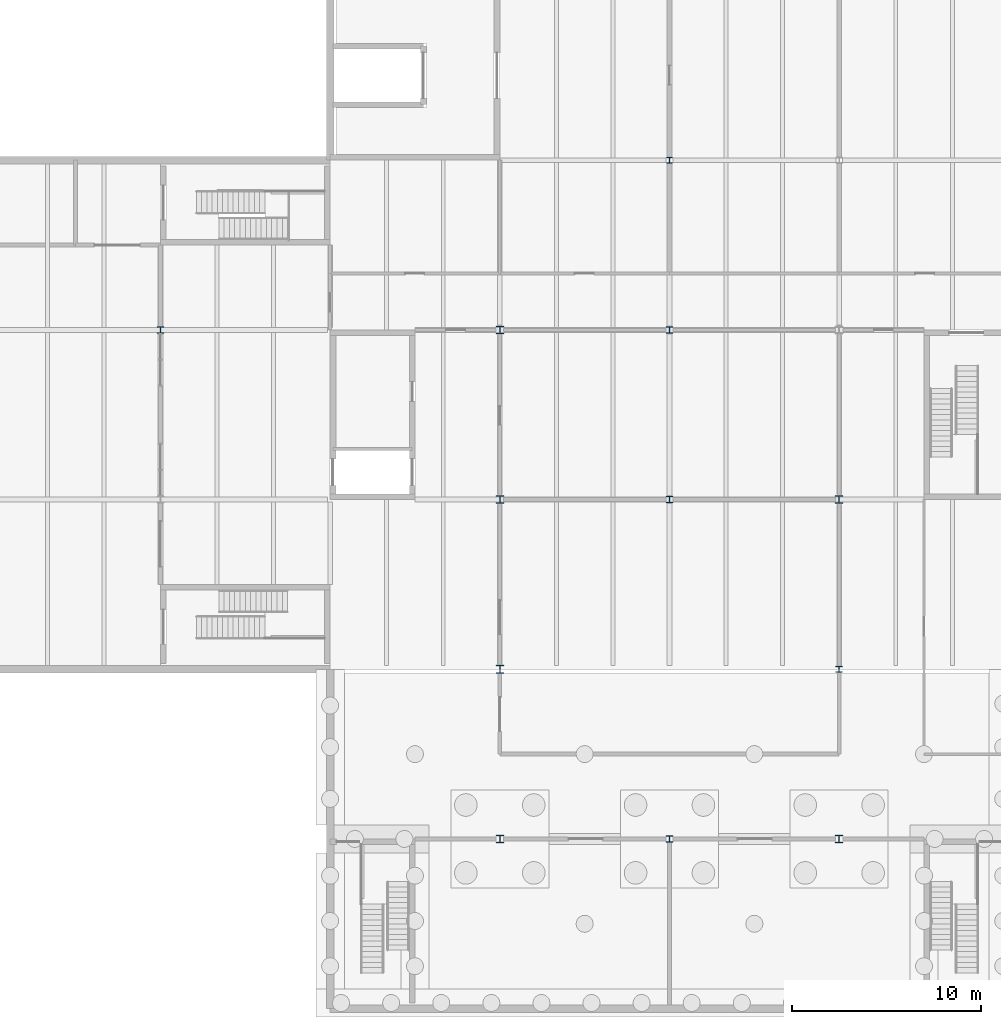
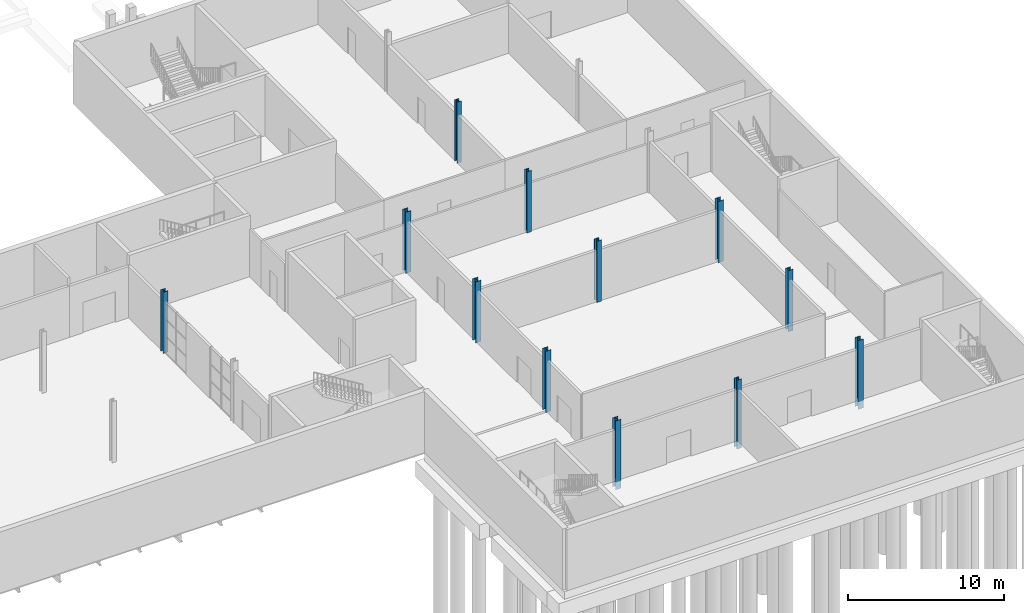
# One storey, part 6 of 31: 12 columns.
"""IFC4 building model written with IfcOpenShell, lengths in metres."""

from ifc_helpers import new_model, si_unit, direction, frame, origin, origin_2d, place, context, subcontext, project, spatial, i_section, extrude, material, material_profile, profile_set, type_object, element, save


model = new_model("IFC4")

# Units and contexts
model_context = context("Model", 3, precision=1e-05, world=origin(), true_north=direction((0.0, 1.0)))
body_context = subcontext(model_context, "Body", "Model", "MODEL_VIEW")
ifc_project = project(units=[si_unit("LENGTHUNIT", "METRE"), si_unit("AREAUNIT", "SQUARE_METRE"), si_unit("VOLUMEUNIT", "CUBIC_METRE"), si_unit("PLANEANGLEUNIT", "RADIAN"), si_unit("MASSUNIT", "GRAM", prefix="KILO")], contexts=[model_context])

# Site, building, storey
site_placement = place(None, origin())
site = spatial("IfcSite", under=ifc_project, at=site_placement, CompositionType="ELEMENT")
building_placement = place(site_placement, origin())
building = spatial("IfcBuilding", under=site, at=building_placement, Name="Halyard Row Museum", CompositionType="ELEMENT")
storey_placement = place(building_placement, frame((0.0, 0.0, -4.800048828125)))
storey = spatial("IfcBuildingStorey", under=building, at=storey_placement, Name="B1", CompositionType="ELEMENT", Elevation=-4.800048828125)

# Columns
ifc_material_1 = material(Name="Steel Grade 300", Category="steel")
ifc_material_profile_1 = material_profile(ifc_material_1, i_section(OverallWidth=0.31103515625, OverallDepth=0.3271484375, WebThickness=0.015625, FlangeThickness=0.02490234375, FilletRadius=0.0166015625, at=origin_2d()), Name="310UC158")
ifc_profile_set_1 = profile_set([ifc_material_profile_1], Name="Steel Grade 300")
column_type_1 = type_object("IfcColumnType", Name="Column 310UC158 interior", PredefinedType="COLUMN", material=ifc_profile_set_1)
column_1_placement = place(storey_placement, frame((90.0, 45.0, 0.0), z_axis=(0.0, 0.0, 1.0), x_axis=(1.0, 0.0, 0.0)))
element("IfcColumn", 1, at=column_1_placement, inside=storey, type_object=column_type_1, Name="Column 11F B1", PredefinedType="COLUMN", context=body_context, shape_type="SweptSolid", body=[
    extrude(i_section(OverallWidth=0.31103515625, OverallDepth=0.3271484375, WebThickness=0.015625, FlangeThickness=0.02490234375, FilletRadius=0.0166015625, at=origin_2d()), origin(), (0.0, 0.0, 1.0), 4.800048828125),
])
ifc_material_2 = material(Name="Steel Grade 300", Category="steel")
ifc_material_profile_2 = material_profile(ifc_material_2, i_section(OverallWidth=0.35009765625, OverallDepth=0.339111328125, WebThickness=0.02490234375, FlangeThickness=0.031982421875, at=origin_2d()), Name="350WC230")
ifc_profile_set_2 = profile_set([ifc_material_profile_2], Name="Steel Grade 300")
column_type_2 = type_object("IfcColumnType", Name="Column 350WC230 interior", PredefinedType="COLUMN", material=ifc_profile_set_2)
for number, where, z_axis, x_axis, name in (
    (2, (99.0, 18.0, 0.0), (0.0, 0.0, 1.0), (1.0, 0.0, 0.0), "Column 12C B1"),
    (3, (90.0, 27.0, 0.0), (0.0, 0.0, 1.0), (1.0, 0.0, 0.0), "Column 11D B1"),
    (4, (63.0, 36.0, 0.0), (0.0, 0.0, 1.0), (1.0, 0.0, 0.0), "Column 8E B1"),
    (5, (90.0, 36.0, 0.0), (0.0, 0.0, 1.0), (1.0, 0.0, 0.0), "Column 11E B1"),
):
    element("IfcColumn", number, at=place(storey_placement, frame(where, z_axis=z_axis, x_axis=x_axis)), inside=storey, type_object=column_type_2, Name=name, PredefinedType="COLUMN", context=body_context, shape_type="SweptSolid", body=[
        extrude(i_section(OverallWidth=0.35009765625, OverallDepth=0.339111328125, WebThickness=0.02490234375, FlangeThickness=0.031982421875, at=origin_2d()), origin(), (0.0, 0.0, 1.0), 4.800048828125),
    ])
ifc_material_3 = material(Name="Steel Grade 300", Category="steel")
ifc_material_profile_3 = material_profile(ifc_material_3, i_section(OverallWidth=0.35009765625, OverallDepth=0.339111328125, WebThickness=0.02490234375, FlangeThickness=0.031982421875, at=origin_2d()), Name="350WC230")
ifc_profile_set_3 = profile_set([ifc_material_profile_3], Name="Steel Grade 300")
column_type_3 = type_object("IfcColumnType", Name="Column 350WC230 interior (on cap)", PredefinedType="COLUMN", material=ifc_profile_set_3)
column_2_placement = place(storey_placement, frame((90.0, 9.0, -0.599853515625), z_axis=(0.0, 0.0, 1.0), x_axis=(1.0, 0.0, 0.0)))
element("IfcColumn", 6, at=column_2_placement, inside=storey, type_object=column_type_3, Name="Column 11B B1", PredefinedType="COLUMN", context=body_context, shape_type="SweptSolid", body=[
    extrude(i_section(OverallWidth=0.35009765625, OverallDepth=0.339111328125, WebThickness=0.02490234375, FlangeThickness=0.031982421875, at=origin_2d()), origin(), (0.0, 0.0, 1.0), 5.39990234375),
])
ifc_material_4 = material(Name="Steel Grade 300", Category="steel")
ifc_material_profile_4 = material_profile(ifc_material_4, i_section(OverallWidth=0.39990234375, OverallDepth=0.4140625, WebThickness=0.02490234375, FlangeThickness=0.031982421875, at=origin_2d()), Name="400WC270")
ifc_profile_set_4 = profile_set([ifc_material_profile_4], Name="Steel Grade 300")
column_type_4 = type_object("IfcColumnType", Name="Column 400WC270 interior", PredefinedType="COLUMN", material=ifc_profile_set_4)
for number, where, z_axis, x_axis, name in (
    (7, (81.0, 18.0, 0.0), (0.0, 0.0, 1.0), (1.0, 0.0, 0.0), "Column 10C B1"),
    (8, (81.0, 27.0, 0.0), (0.0, 0.0, 1.0), (1.0, 0.0, 0.0), "Column 10D B1"),
    (9, (99.0, 27.0, 0.0), (0.0, 0.0, 1.0), (1.0, 0.0, 0.0), "Column 12D B1"),
    (10, (81.0, 36.0, 0.0), (0.0, 0.0, 1.0), (1.0, 0.0, 0.0), "Column 10E B1"),
):
    element("IfcColumn", number, at=place(storey_placement, frame(where, z_axis=z_axis, x_axis=x_axis)), inside=storey, type_object=column_type_4, Name=name, PredefinedType="COLUMN", context=body_context, shape_type="SweptSolid", body=[
        extrude(i_section(OverallWidth=0.39990234375, OverallDepth=0.4140625, WebThickness=0.02490234375, FlangeThickness=0.031982421875, at=origin_2d()), origin(), (0.0, 0.0, 1.0), 4.800048828125),
    ])
ifc_material_5 = material(Name="Steel Grade 300", Category="steel")
ifc_material_profile_5 = material_profile(ifc_material_5, i_section(OverallWidth=0.39990234375, OverallDepth=0.4140625, WebThickness=0.02490234375, FlangeThickness=0.031982421875, at=origin_2d()), Name="400WC270")
ifc_profile_set_5 = profile_set([ifc_material_profile_5], Name="Steel Grade 300")
column_type_5 = type_object("IfcColumnType", Name="Column 400WC270 interior (on cap)", PredefinedType="COLUMN", material=ifc_profile_set_5)
for number, where, z_axis, x_axis, name in (
    (11, (81.0, 9.0, -0.599853515625), (0.0, 0.0, 1.0), (1.0, 0.0, 0.0), "Column 10B B1"),
    (12, (99.0, 9.0, -0.599853515625), (0.0, 0.0, 1.0), (1.0, 0.0, 0.0), "Column 12B B1"),
):
    element("IfcColumn", number, at=place(storey_placement, frame(where, z_axis=z_axis, x_axis=x_axis)), inside=storey, type_object=column_type_5, Name=name, PredefinedType="COLUMN", context=body_context, shape_type="SweptSolid", body=[
        extrude(i_section(OverallWidth=0.39990234375, OverallDepth=0.4140625, WebThickness=0.02490234375, FlangeThickness=0.031982421875, at=origin_2d()), origin(), (0.0, 0.0, 1.0), 5.39990234375),
    ])

save(model, "model.ifc")
